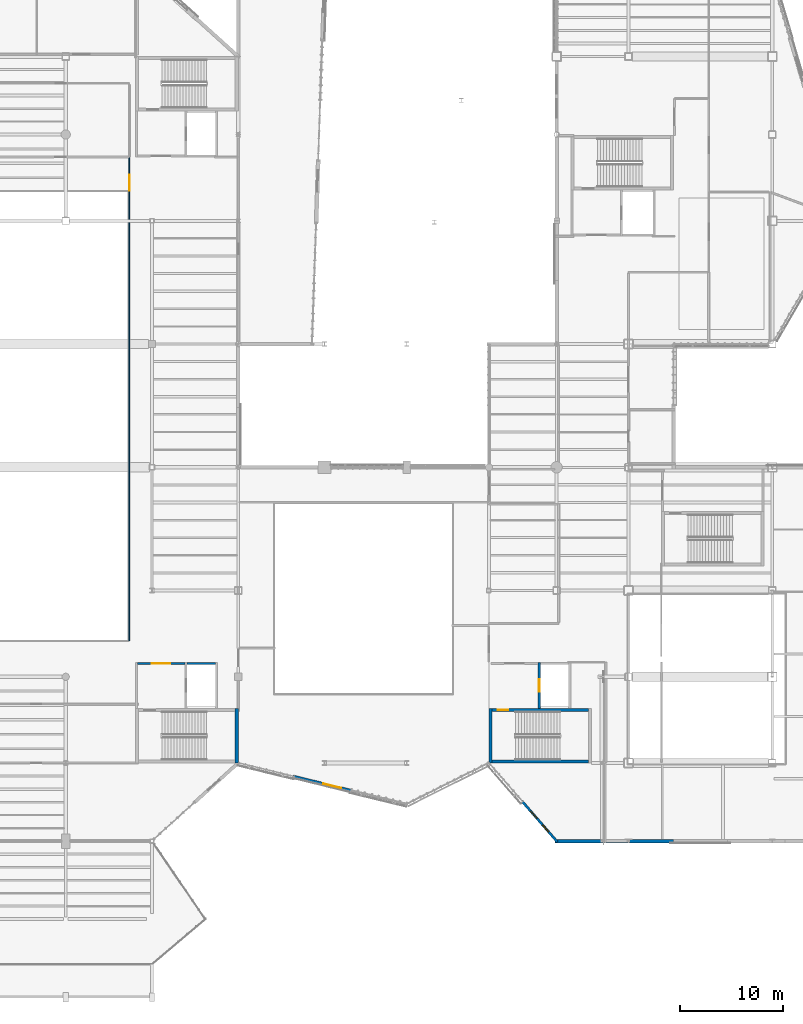
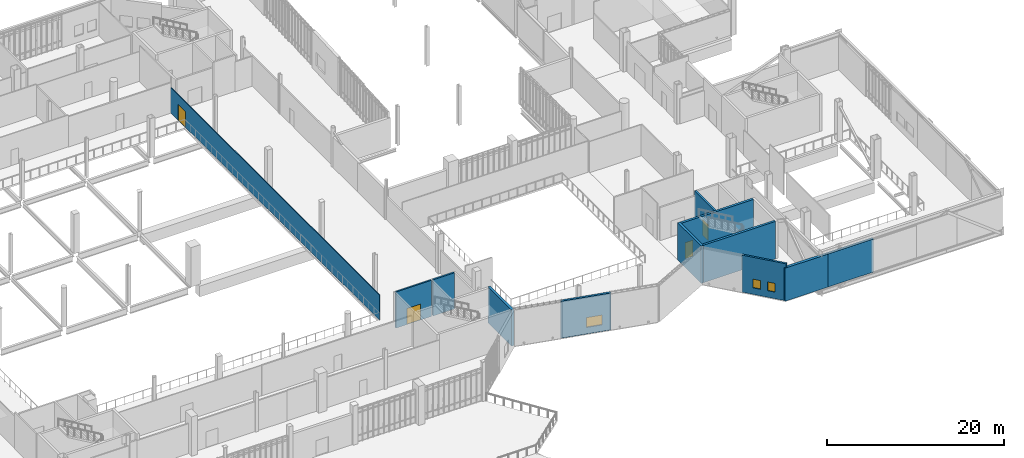
# One storey, part 106 of 127: 12 walls, 4 doors, 3 windows, 7 openings.
"""IFC4 building model written with IfcOpenShell, lengths in metres."""

import ifcopenshell
import ifcopenshell.guid

model = None  # the IFC model being written
_history = None  # IfcOwnerHistory: only IFC2X3 demands one
_inside = {}  # id of a spatial element -> (the spatial element, [elements in it])
_under = {}  # id of a project, library or spatial element -> (it, [spatial elements below it])
_declared = {}  # id of a project -> (the project, [libraries it declares])
_typed = {}  # id of a type object -> (the type object, [elements of that type])
_made_of = {}  # id of a material, layer set ... -> (it, [elements and type objects made of it])


def new_model(schema):
    """Start an empty IFC model of exactly this schema.

    Asked for "IFC4X3", IfcOpenShell would pick the latest addendum, in which some entities
    have other attributes; the version numbers below select the first issue.
    IFC2X3 requires an IfcOwnerHistory on every rooted entity: one is made here for all.
    """
    global model, _history
    if schema == "IFC4X3":
        model = ifcopenshell.file(schema_version=(4, 3, 0, 0))
    else:
        model = ifcopenshell.file(schema=schema)
    _inside.clear()
    _under.clear()
    _declared.clear()
    _typed.clear()
    _made_of.clear()
    _history = None
    if model.schema == "IFC2X3":
        org = make("IfcOrganization", Name="unknown")
        user = make(
            "IfcPersonAndOrganization",
            ThePerson=make("IfcPerson", FamilyName="unknown"),
            TheOrganization=org,
        )
        app = make(
            "IfcApplication",
            ApplicationDeveloper=org,
            Version="unknown",
            ApplicationFullName="unknown",
            ApplicationIdentifier="unknown",
        )
        _history = make(
            "IfcOwnerHistory",
            OwningUser=user,
            OwningApplication=app,
            ChangeAction="ADDED",
            CreationDate=0,
        )
    return model


def make(cls, **values):
    """One entity of the class cls with the attributes given. An attribute that is None is left unset."""
    return model.create_entity(
        cls, **{name: value for name, value in values.items() if value is not None}
    )


def rooted(cls, **values):
    """An entity with a GlobalId (a new one), such as an element, a storey or a relation."""
    return make(cls, GlobalId=ifcopenshell.guid.new(), OwnerHistory=_history, **values)


def si_unit(unit_type, name, prefix=None):
    """IfcSIUnit, for example si_unit("LENGTHUNIT", "METRE", prefix="MILLI")."""
    return make("IfcSIUnit", UnitType=unit_type, Prefix=prefix, Name=name)


def assignment(units):
    """IfcUnitAssignment: the units of a project."""
    return None if units is None else make("IfcUnitAssignment", Units=units)


def point(xyz):
    """IfcCartesianPoint."""
    return None if xyz is None else make("IfcCartesianPoint", Coordinates=xyz)


def direction(xyz):
    """IfcDirection."""
    return None if xyz is None else make("IfcDirection", DirectionRatios=xyz)


def frame(location, z_axis=None, x_axis=None):
    """IfcAxis2Placement3D, a coordinate frame: its origin and axes. An axis left out is left unset."""
    return make(
        "IfcAxis2Placement3D",
        Location=point(location),
        Axis=direction(z_axis),
        RefDirection=direction(x_axis),
    )


def frame_2d(location, x_axis=None):
    """IfcAxis2Placement2D, a coordinate frame in the plane: its origin and x axis."""
    return make(
        "IfcAxis2Placement2D", Location=point(location), RefDirection=direction(x_axis)
    )


def origin():
    """The frame at (0, 0, 0) with its axes left unset."""
    return frame((0.0, 0.0, 0.0))


def place(relative_to, where):
    """IfcLocalPlacement: puts the frame where relative to a parent placement (None: the world)."""
    return make(
        "IfcLocalPlacement", PlacementRelTo=relative_to, RelativePlacement=where
    )


def context(
    kind, dimensions, precision=None, world=None, true_north=None, identifier=None
):
    """IfcGeometricRepresentationContext, for example the 3D "Model" context."""
    return make(
        "IfcGeometricRepresentationContext",
        ContextIdentifier=identifier,
        ContextType=kind,
        CoordinateSpaceDimension=dimensions,
        Precision=precision,
        WorldCoordinateSystem=world,
        TrueNorth=true_north,
    )


def subcontext(parent, identifier, kind, view, scale=None):
    """IfcGeometricRepresentationSubContext, for example "Body" below "Model"."""
    return make(
        "IfcGeometricRepresentationSubContext",
        ContextIdentifier=identifier,
        ContextType=kind,
        ParentContext=parent,
        TargetScale=scale,
        TargetView=view,
    )


def project(units=None, contexts=None):
    """IfcProject with its units and contexts."""
    return rooted(
        "IfcProject",
        Name="project",
        RepresentationContexts=contexts,
        UnitsInContext=assignment(units),
    )


def spatial(cls, under=None, at=None, **own):
    """A site, building, storey or space (cls), placed at a placement, below another one or the project."""
    s = rooted(cls, ObjectPlacement=at, **own)
    if under is not None:
        _under.setdefault(under.id(), (under, []))[1].append(s)
    return s


def profile(cls, at=None, kind="AREA", **sizes):
    """A parametric profile (cls). Its sizes go by their IFC names, for example OverallWidth=200.0."""
    return make(cls, ProfileType=kind, Position=at, **sizes)


def rectangle(**sizes):
    """IfcRectangleProfileDef."""
    return profile("IfcRectangleProfileDef", **sizes)


def extrude(swept, where, along, depth):
    """IfcExtrudedAreaSolid: the profile swept, set in the frame where, extruded along a direction by depth."""
    return make(
        "IfcExtrudedAreaSolid",
        SweptArea=swept,
        Position=where,
        ExtrudedDirection=direction(along),
        Depth=depth,
    )


def shape(context_of_items, identifier, shape_type, items):
    """IfcShapeRepresentation: the items that make up one representation, for example the "Body"."""
    return make(
        "IfcShapeRepresentation",
        ContextOfItems=context_of_items,
        RepresentationIdentifier=identifier,
        RepresentationType=shape_type,
        Items=items,
    )


def material(Name=None, Category=None):
    """IfcMaterial."""
    return make("IfcMaterial", Name=Name, Category=Category)


def layer(
    of_material, thickness, ventilated=None, Name=None, Category=None, Priority=None
):
    """IfcMaterialLayer: one layer of a wall or slab, of a material (None: an air gap)."""
    return make(
        "IfcMaterialLayer",
        Material=of_material,
        LayerThickness=thickness,
        IsVentilated=ventilated,
        Name=Name,
        Category=Category,
        Priority=Priority,
    )


def layer_set(layers, Name=None):
    """IfcMaterialLayerSet."""
    return make("IfcMaterialLayerSet", MaterialLayers=layers, LayerSetName=Name)


def made_of(thing, what):
    """Note that an element or type object is made of a material, layer set ...; save() writes the relation."""
    if what is not None:
        _made_of.setdefault(what.id(), (what, []))[1].append(thing)
    return thing


def type_object(cls, material=None, **own):
    """A type object (cls), such as IfcWallType, which elements share."""
    return made_of(rooted(cls, **own), material)


def element(
    cls,
    number,
    at=None,
    inside=None,
    cuts=None,
    type_object=None,
    material=None,
    context=None,
    identifier="Body",
    shape_type=None,
    held_by="IfcProductDefinitionShape",
    body=None,
    shapes=None,
    **own,
):
    """One element of the class cls, such as IfcWall. Its Tag is "e" and its number.

    at: its placement. inside: the storey or other place that contains it. cuts: it is an
    opening in that element (IfcRelVoidsElement). A single representation is given by context,
    identifier, shape_type and body (its items); several are given by shapes. held_by: the class
    of the entity that holds the representations. save() writes the other relations.
    """
    e = rooted(cls, Tag="e%d" % number, ObjectPlacement=at, **own)
    if body is not None:
        shapes = [shape(context, identifier, shape_type, body)]
    if shapes is not None:
        e.Representation = make(held_by, Representations=shapes)
    if inside is not None:
        _inside.setdefault(inside.id(), (inside, []))[1].append(e)
    if cuts is not None:
        rooted(
            "IfcRelVoidsElement", RelatingBuildingElement=cuts, RelatedOpeningElement=e
        )
    if type_object is not None:
        _typed.setdefault(type_object.id(), (type_object, []))[1].append(e)
    return made_of(e, material)


def fill(opening, filler):
    """IfcRelFillsElement: the door or window that sits in an opening."""
    return rooted(
        "IfcRelFillsElement",
        RelatingOpeningElement=opening,
        RelatedBuildingElement=filler,
    )


def aggregate(whole, parts):
    """IfcRelAggregates: a whole, such as a stair, and the parts it consists of."""
    return rooted("IfcRelAggregates", RelatingObject=whole, RelatedObjects=parts)


def save(model, path):
    """Write the relations noted so far, then the file.

    IfcRelAggregates (storeys below a building ...), IfcRelContainedInSpatialStructure (elements
    in a storey), IfcRelDefinesByType, IfcRelAssociatesMaterial and IfcRelDeclares: one each for
    every whole, place, type object, material and project.
    """
    for whole, parts in _under.values():
        aggregate(whole, parts)
    for where, things in _inside.values():
        rooted(
            "IfcRelContainedInSpatialStructure",
            RelatedElements=things,
            RelatingStructure=where,
        )
    for kind, things in _typed.values():
        rooted("IfcRelDefinesByType", RelatedObjects=things, RelatingType=kind)
    for what, things in _made_of.values():
        rooted("IfcRelAssociatesMaterial", RelatedObjects=things, RelatingMaterial=what)
    for by, libraries in _declared.values():
        rooted("IfcRelDeclares", RelatingContext=by, RelatedDefinitions=libraries)
    model.write(path)


model = new_model("IFC4")

# Units and contexts
model_context = context("Model", 3, precision=1e-05, world=origin(), true_north=direction((0.0, 1.0)))
body_context = subcontext(model_context, "Body", "Model", "MODEL_VIEW")
ifc_project = project(units=[si_unit("LENGTHUNIT", "METRE"), si_unit("AREAUNIT", "SQUARE_METRE"), si_unit("VOLUMEUNIT", "CUBIC_METRE"), si_unit("PLANEANGLEUNIT", "RADIAN"), si_unit("MASSUNIT", "GRAM", prefix="KILO")], contexts=[model_context])

# Site, building, storey
site_placement = place(None, origin())
site = spatial("IfcSite", under=ifc_project, at=site_placement, CompositionType="ELEMENT")
building_placement = place(site_placement, origin())
building = spatial("IfcBuilding", under=site, at=building_placement, Name="Larkvane Passage Sports Hall", CompositionType="ELEMENT")
storey_placement = place(building_placement, frame((0.0, 0.0, 5.39990234375)))
storey = spatial("IfcBuildingStorey", under=building, at=storey_placement, Name="L01", CompositionType="ELEMENT", Elevation=5.39990234375)

# Walls
ifc_material_1 = material(Name="Concrete C50/60", Category="concrete")
ifc_layer_1 = layer(ifc_material_1, 0.300048828125)
ifc_layer_set_1 = layer_set([ifc_layer_1], Name="Concrete C50/60")
wall_type_1 = type_object("IfcWallType", Name="WL-CORE-300", PredefinedType="SHEAR", material=ifc_layer_set_1)
wall_1_placement = place(storey_placement, frame((93.449951171875, 28.10009765625, 0.0), z_axis=(0.0, 0.0, 1.0), x_axis=(0.0, -1.0, 0.0)))
element("IfcWall", 1, at=wall_1_placement, inside=storey, type_object=wall_type_1, Name="Core shear wall WAL-CORE-C4-L01-E", PredefinedType="SHEAR", context=body_context, shape_type="SweptSolid", body=[
    extrude(rectangle(XDim=5.300048828125, YDim=0.300048828125, at=frame_2d((2.64990234375, 0.0))), origin(), (0.0, 0.0, 1.0), 4.97998046875),
])
ifc_layer_2 = layer(ifc_material_1, 0.340087890625)
ifc_layer_set_2 = layer_set([ifc_layer_2], Name="Concrete C50/60")
wall_type_2 = type_object("IfcWallType", Name="WL-CORE-340", PredefinedType="SHEAR", material=ifc_layer_set_2)
wall_2_placement = place(storey_placement, frame((118.14990234375, 22.800048828125, 0.0), z_axis=(0.0, 0.0, 1.0), x_axis=(0.0, 1.0, 0.0)))
element("IfcWall", 2, at=wall_2_placement, inside=storey, type_object=wall_type_2, Name="Core shear wall WAL-CORE-C5-L01-W", PredefinedType="SHEAR", context=body_context, shape_type="SweptSolid", body=[
    extrude(rectangle(XDim=5.300048828125, YDim=0.300048828125, at=frame_2d((2.64990234375, 0.0))), origin(), (0.0, 0.0, 1.0), 5.150146484375),
])

# Wall, opening, door
wall_3_placement = place(storey_placement, frame((118.300048828125, 27.949951171875, 0.0), z_axis=(0.0, 0.0, 1.0), x_axis=(1.0, 0.0, 0.0)))
wall_3 = element("IfcWall", 3, at=wall_3_placement, inside=storey, type_object=wall_type_2, Name="Core shear wall WAL-CORE-C5-L01-N", PredefinedType="SHEAR", context=body_context, shape_type="SweptSolid", body=[
    extrude(rectangle(XDim=9.39990234375, YDim=0.300048828125, at=frame_2d((4.699951171875, 0.0))), origin(), (0.0, 0.0, 1.0), 5.150146484375),
])
opening_1_placement = place(wall_3_placement, frame((0.550048828125, 0.0, 0.0)))
opening_1 = element("IfcOpeningElement", 4, at=opening_1_placement, cuts=wall_3, Name="Opening DF-01", PredefinedType="OPENING", context=body_context, shape_type="SweptSolid", body=[
    extrude(rectangle(XDim=1.050048828125, YDim=2.199951171875, at=frame_2d((0.52490234375, 1.10009765625))), frame((0.0, 0.159912109375, 0.0), z_axis=(0.0, -1.0, 0.0), x_axis=(1.0, 0.0, 0.0)), (0.0, 0.0, 1.0), 0.320068359375),
])
ifc_material_2 = material(Name="Steel S355JR smoke-sealed fire door", Category="steel")
door_type_1 = type_object("IfcDoorType", Name="DR-FIRE-1050", OperationType="NOTDEFINED", PredefinedType="DOOR", material=ifc_material_2)
door_1_placement = place(opening_1_placement, origin())
door_1 = element("IfcDoor", 5, at=door_1_placement, inside=storey, type_object=door_type_1, Name="Stair ST-05 L01 fire door", OperationType="SINGLE_SWING_LEFT", OverallHeight=2.199951171875, OverallWidth=1.050048828125, PredefinedType="DOOR", context=body_context, shape_type="SweptSolid", body=[
    extrude(rectangle(XDim=1.050048828125, YDim=2.199951171875, at=frame_2d((0.52490234375, 1.10009765625))), frame((0.0, 0.02490234375, 0.0), z_axis=(0.0, -1.0, 0.0), x_axis=(1.0, 0.0, 0.0)), (0.0, 0.0, 1.0), 0.050048828125),
])
fill(opening_1, door_1)

# Wall
ifc_layer_3 = layer(ifc_material_1, 0.340087890625)
ifc_layer_set_3 = layer_set([ifc_layer_3], Name="Concrete C50/60")
wall_type_3 = type_object("IfcWallType", Name="WL-CORE-EXT-340", PredefinedType="SHEAR", material=ifc_layer_set_3)
wall_4_placement = place(storey_placement, frame((127.699951171875, 22.949951171875, 0.0), z_axis=(0.0, 0.0, 1.0), x_axis=(-1.0, 0.0, 0.0)))
element("IfcWall", 6, at=wall_4_placement, inside=storey, type_object=wall_type_3, Name="Core shear wall WAL-CORE-C5-L01-S", PredefinedType="SHEAR", context=body_context, shape_type="SweptSolid", body=[
    extrude(rectangle(XDim=9.39990234375, YDim=0.300048828125, at=frame_2d((4.699951171875, 0.0))), origin(), (0.0, 0.0, 1.0), 5.150146484375),
])

# Wall, openings, windows
ifc_material_3 = material(Name="Concrete C40/50", Category="concrete")
ifc_layer_4 = layer(ifc_material_3, 0.239990234375)
ifc_layer_set_4 = layer_set([ifc_layer_4], Name="Concrete C40/50")
wall_type_4 = type_object("IfcWallType", Name="WL-EXT-240", PredefinedType="SOLIDWALL", material=ifc_layer_set_4)
wall_5_placement = place(storey_placement, frame((124.675537109375, 15.113037109375, 0.0), z_axis=(0.0, 0.0, 1.0), x_axis=(-0.655679000565, 0.755039765985, 0.0)))
wall_5 = element("IfcWall", 7, at=wall_5_placement, inside=storey, type_object=wall_type_4, Name="Exterior wall WAL-EXT-L01-107", PredefinedType="SOLIDWALL", context=body_context, shape_type="SweptSolid", body=[
    extrude(rectangle(XDim=5.26318359375, YDim=0.239990234375, at=frame_2d((2.631591796875, 0.0))), origin(), (0.0, 0.0, 1.0), 5.10009765625),
])
opening_2_placement = place(wall_5_placement, frame((1.303955078125, 0.0, 0.89990234375)))
opening_2 = element("IfcOpeningElement", 8, at=opening_2_placement, cuts=wall_5, Name="Opening W-09", PredefinedType="OPENING", context=body_context, shape_type="SweptSolid", body=[
    extrude(rectangle(XDim=0.89990234375, YDim=1.199951171875, at=frame_2d((0.449951171875, 0.60009765625))), frame((0.0, 0.1298828125, 0.0), z_axis=(0.0, -1.0, 0.0), x_axis=(1.0, 0.0, 0.0)), (0.0, 0.0, 1.0), 0.260009765625),
])
opening_3_placement = place(wall_5_placement, frame((3.05908203125, 0.0, 0.89990234375)))
opening_3 = element("IfcOpeningElement", 9, at=opening_3_placement, cuts=wall_5, Name="Opening W-09", PredefinedType="OPENING", context=body_context, shape_type="SweptSolid", body=[
    extrude(rectangle(XDim=0.89990234375, YDim=1.199951171875, at=frame_2d((0.449951171875, 0.60009765625))), frame((0.0, 0.1298828125, 0.0), z_axis=(0.0, -1.0, 0.0), x_axis=(1.0, 0.0, 0.0)), (0.0, 0.0, 1.0), 0.260009765625),
])
ifc_material_4 = material(Name="Thermally broken aluminium and laminated low-E glass", Category="aluminium")
window_type_1 = type_object("IfcWindowType", Name="WN-CAS-900x1200", PartitioningType="SINGLE_PANEL", PredefinedType="WINDOW", material=ifc_material_4)
window_1_placement = place(opening_2_placement, origin())
window_1 = element("IfcWindow", 10, at=window_1_placement, inside=storey, type_object=window_type_1, Name="Window L01-034", OverallHeight=1.199951171875, OverallWidth=0.89990234375, PartitioningType="SINGLE_PANEL", PredefinedType="WINDOW", context=body_context, shape_type="SweptSolid", body=[
    extrude(rectangle(XDim=0.89990234375, YDim=1.199951171875, at=frame_2d((0.449951171875, 0.60009765625))), frame((0.0, 0.030029296875, 0.0), z_axis=(0.0, -1.0, 0.0), x_axis=(1.0, 0.0, 0.0)), (0.0, 0.0, 1.0), 0.06005859375),
])
fill(opening_2, window_1)
window_2_placement = place(opening_3_placement, origin())
window_2 = element("IfcWindow", 11, at=window_2_placement, inside=storey, type_object=window_type_1, Name="Window L01-035", OverallHeight=1.199951171875, OverallWidth=0.89990234375, PartitioningType="SINGLE_PANEL", PredefinedType="WINDOW", context=body_context, shape_type="SweptSolid", body=[
    extrude(rectangle(XDim=0.89990234375, YDim=1.199951171875, at=frame_2d((0.449951171875, 0.60009765625))), frame((0.0, 0.030029296875, 0.0), z_axis=(0.0, -1.0, 0.0), x_axis=(1.0, 0.0, 0.0)), (0.0, 0.0, 1.0), 0.06005859375),
])
fill(opening_3, window_2)

# Wall, opening, window
ifc_layer_5 = layer(ifc_material_3, 0.27490234375)
ifc_layer_set_5 = layer_set([ifc_layer_5], Name="Concrete C40/50")
wall_type_5 = type_object("IfcWallType", Name="WL-EXT-275", PredefinedType="SOLIDWALL", material=ifc_layer_set_5)
wall_6_placement = place(storey_placement, frame((104.66162109375, 20.10205078125, 0.0), z_axis=(0.0, 0.0, 1.0), x_axis=(-0.971525690627, 0.236934236555, 0.0)))
wall_6 = element("IfcWall", 12, at=wall_6_placement, inside=storey, type_object=wall_type_5, Name="Exterior wall WAL-EXT-L01-108", PredefinedType="SOLIDWALL", context=body_context, shape_type="SweptSolid", body=[
    extrude(rectangle(XDim=5.890869140625, YDim=0.27490234375, at=frame_2d((2.9453125, 0.0))), origin(), (0.0, 0.0, 1.0), 5.10009765625),
])
opening_4_placement = place(wall_6_placement, frame((1.06396484375, 0.0, 0.89990234375)))
opening_4 = element("IfcOpeningElement", 13, at=opening_4_placement, cuts=wall_6, Name="Opening W-10", PredefinedType="OPENING", context=body_context, shape_type="SweptSolid", body=[
    extrude(rectangle(XDim=1.800048828125, YDim=1.35009765625, at=frame_2d((0.89990234375, 0.675048828125))), frame((0.0, 0.1474609375, 0.0), z_axis=(0.0, -1.0, 0.0), x_axis=(1.0, 0.0, 0.0)), (0.0, 0.0, 1.0), 0.294921875),
])
window_type_2 = type_object("IfcWindowType", Name="WN-CAS-1800x1350", PartitioningType="DOUBLE_PANEL_VERTICAL", PredefinedType="WINDOW", material=ifc_material_4)
window_3_placement = place(opening_4_placement, origin())
window_3 = element("IfcWindow", 14, at=window_3_placement, inside=storey, type_object=window_type_2, Name="Window L01-036", OverallHeight=1.35009765625, OverallWidth=1.800048828125, PartitioningType="DOUBLE_PANEL_VERTICAL", PredefinedType="WINDOW", context=body_context, shape_type="SweptSolid", body=[
    extrude(rectangle(XDim=1.800048828125, YDim=1.35009765625, at=frame_2d((0.89990234375, 0.675048828125))), frame((0.0, 0.030029296875, 0.0), z_axis=(0.0, -1.0, 0.0), x_axis=(1.0, 0.0, 0.0)), (0.0, 0.0, 1.0), 0.06005859375),
])
fill(opening_4, window_3)

# Walls
ifc_material_5 = material(Name="Precast concrete C45/55", Category="concrete")
ifc_layer_6 = layer(ifc_material_5, 0.344970703125)
ifc_layer_set_6 = layer_set([ifc_layer_6], Name="Precast concrete C45/55")
wall_type_6 = type_object("IfcWallType", Name="WL-EXT-345", PredefinedType="SOLIDWALL", material=ifc_layer_set_6)
for number, where, z_axis, x_axis, name in (
    (15, (135.965576171875, 15.199951171875, 0.0), (0.0, 0.0, 1.0), (-1.0, 0.0, 0.0), "Exterior wall WAL-EXT-L01-105"),
    (16, (130.365478515625, 15.199951171875, 0.0), (0.0, 0.0, 1.0), (-1.0, 0.0, 0.0), "Exterior wall WAL-EXT-L01-106"),
):
    element("IfcWall", number, at=place(storey_placement, frame(where, z_axis=z_axis, x_axis=x_axis)), inside=storey, type_object=wall_type_6, Name=name, PredefinedType="SOLIDWALL", context=body_context, shape_type="SweptSolid", body=[
        extrude(rectangle(XDim=5.93115234375, YDim=0.344970703125, at=frame_2d((2.965576171875, 0.0))), origin(), (0.0, 0.0, 1.0), 4.550048828125),
    ])

# Wall, opening, door
ifc_layer_7 = layer(ifc_material_3, 0.199951171875)
ifc_layer_set_7 = layer_set([ifc_layer_7], Name="Concrete C40/50")
wall_type_7 = type_object("IfcWallType", Name="WL-LOBBY-200", PredefinedType="SOLIDWALL", material=ifc_layer_set_7)
wall_7_placement = place(storey_placement, frame((83.800048828125, 32.5, 0.0), z_axis=(0.0, 0.0, 1.0), x_axis=(1.0, 0.0, 0.0)))
wall_7 = element("IfcWall", 17, at=wall_7_placement, inside=storey, type_object=wall_type_7, Name="Protected stair lobby wall C4 L01", PredefinedType="SOLIDWALL", context=body_context, shape_type="SweptSolid", body=[
    extrude(rectangle(XDim=4.599853515625, YDim=0.199951171875, at=frame_2d((2.2998046875, 0.0))), origin(), (0.0, 0.0, 1.0), 4.97998046875),
])
opening_5_placement = place(wall_7_placement, frame((1.39990234375, 0.0, 0.0)))
opening_5 = element("IfcOpeningElement", 18, at=opening_5_placement, cuts=wall_7, Name="Opening DF-02", PredefinedType="OPENING", context=body_context, shape_type="SweptSolid", body=[
    extrude(rectangle(XDim=1.800048828125, YDim=2.199951171875, at=frame_2d((0.89990234375, 1.10009765625))), frame((0.0, 0.10986328125, 0.0), z_axis=(0.0, -1.0, 0.0), x_axis=(1.0, 0.0, 0.0)), (0.0, 0.0, 1.0), 0.219970703125),
])
ifc_material_6 = material(Name="Steel S355JR double smoke-sealed fire door", Category="steel")
door_type_2 = type_object("IfcDoorType", Name="DR-FIRE-1800", OperationType="DOUBLE_DOOR_SINGLE_SWING", PredefinedType="DOOR", material=ifc_material_6)
door_2_placement = place(opening_5_placement, origin())
door_2 = element("IfcDoor", 19, at=door_2_placement, inside=storey, type_object=door_type_2, Name="Lobby smoke door C4 L01", OperationType="DOUBLE_DOOR_SINGLE_SWING", OverallHeight=2.199951171875, OverallWidth=1.800048828125, PredefinedType="DOOR", context=body_context, shape_type="SweptSolid", body=[
    extrude(rectangle(XDim=1.800048828125, YDim=2.199951171875, at=frame_2d((0.89990234375, 1.10009765625))), frame((0.0, 0.02490234375, 0.0), z_axis=(0.0, -1.0, 0.0), x_axis=(1.0, 0.0, 0.0)), (0.0, 0.0, 1.0), 0.050048828125),
])
fill(opening_5, door_2)

ifc_material_7 = material(Name="Gypsum twin-stud acoustic partition")
ifc_layer_8 = layer(ifc_material_7, 0.10009765625)
ifc_layer_set_8 = layer_set([ifc_layer_8], Name="Gypsum twin-stud acoustic partition")
wall_type_8 = type_object("IfcWallType", Name="WL-PART-100", PredefinedType="PARTITIONING", material=ifc_layer_set_8)
wall_8_placement = place(storey_placement, frame((83.0, 34.719970703125, 0.0), z_axis=(0.0, 0.0, 1.0), x_axis=(0.0, 1.0, 0.0)))
wall_8 = element("IfcWall", 20, at=wall_8_placement, inside=storey, type_object=wall_type_8, Name="Interior partition WAL-PART-L01-0167", PredefinedType="PARTITIONING", context=body_context, shape_type="SweptSolid", body=[
    extrude(rectangle(XDim=47.080078125, YDim=0.10009765625, at=frame_2d((23.5400390625, 0.0))), origin(), (0.0, 0.0, 1.0), 3.47021484375),
])
opening_6_placement = place(wall_8_placement, frame((43.787109375, 0.0, 0.0)))
opening_6 = element("IfcOpeningElement", 21, at=opening_6_placement, cuts=wall_8, Name="Opening DI-03", PredefinedType="OPENING", context=body_context, shape_type="SweptSolid", body=[
    extrude(rectangle(XDim=1.60009765625, YDim=2.199951171875, at=frame_2d((0.800048828125, 1.10009765625))), frame((0.0, 0.06005859375, 0.0), z_axis=(0.0, -1.0, 0.0), x_axis=(1.0, 0.0, 0.0)), (0.0, 0.0, 1.0), 0.1201171875),
])
ifc_material_8 = material(Name="Glazed aluminium studio double door", Category="aluminium")
door_type_3 = type_object("IfcDoorType", Name="DR-INT-1600", OperationType="DOUBLE_DOOR_SINGLE_SWING", PredefinedType="DOOR", material=ifc_material_8)
door_3_placement = place(opening_6_placement, origin())
door_3 = element("IfcDoor", 22, at=door_3_placement, inside=storey, type_object=door_type_3, Name="Interior door L01-0062", OperationType="DOUBLE_DOOR_SINGLE_SWING", OverallHeight=2.199951171875, OverallWidth=1.60009765625, PredefinedType="DOOR", context=body_context, shape_type="SweptSolid", body=[
    extrude(rectangle(XDim=1.60009765625, YDim=2.199951171875, at=frame_2d((0.800048828125, 1.10009765625))), frame((0.0, 0.02490234375, 0.0), z_axis=(0.0, -1.0, 0.0), x_axis=(1.0, 0.0, 0.0)), (0.0, 0.0, 1.0), 0.050048828125),
])
fill(opening_6, door_3)

# Wall
ifc_layer_9 = layer(ifc_material_3, 0.219970703125)
ifc_layer_set_9 = layer_set([ifc_layer_9], Name="Concrete C40/50")
wall_type_9 = type_object("IfcWallType", Name="WL-SHAFT-220", PredefinedType="SOLIDWALL", material=ifc_layer_set_9)
wall_9_placement = place(storey_placement, frame((88.6201171875, 32.489990234375, 0.0), z_axis=(0.0, 0.0, 1.0), x_axis=(1.0, 0.0, 0.0)))
element("IfcWall", 23, at=wall_9_placement, inside=storey, type_object=wall_type_9, Name="Lift shaft end wall L-05 L01", PredefinedType="SOLIDWALL", context=body_context, shape_type="SweptSolid", body=[
    extrude(rectangle(XDim=2.759765625, YDim=0.219970703125, at=frame_2d((1.3798828125, 0.0))), origin(), (0.0, 0.0, 1.0), 4.97998046875),
])

# Wall, opening, door
wall_10_placement = place(storey_placement, frame((122.909912109375, 28.10009765625, 0.0), z_axis=(0.0, 0.0, 1.0), x_axis=(0.0, 1.0, 0.0)))
wall_10 = element("IfcWall", 24, at=wall_10_placement, inside=storey, type_object=wall_type_9, Name="Lift shaft front wall FL-02 L01", PredefinedType="SOLIDWALL", context=body_context, shape_type="SweptSolid", body=[
    extrude(rectangle(XDim=4.5, YDim=0.219970703125, at=frame_2d((2.25, 0.0))), origin(), (0.0, 0.0, 1.0), 5.150146484375),
])
opening_7_placement = place(wall_10_placement, frame((1.64990234375, 0.0, 0.0)))
opening_7 = element("IfcOpeningElement", 25, at=opening_7_placement, cuts=wall_10, Name="Opening LD-01", PredefinedType="OPENING", context=body_context, shape_type="SweptSolid", body=[
    extrude(rectangle(XDim=1.199951171875, YDim=2.199951171875, at=frame_2d((0.60009765625, 1.10009765625))), frame((0.0, 0.119873046875, 0.0), z_axis=(0.0, -1.0, 0.0), x_axis=(1.0, 0.0, 0.0)), (0.0, 0.0, 1.0), 0.239990234375),
])
ifc_material_9 = material(Name="Stainless steel S355JR lift landing door", Category="steel")
door_type_4 = type_object("IfcDoorType", Name="DR-LIFT-1200", OperationType="SLIDING_TO_LEFT", PredefinedType="DOOR", material=ifc_material_9)
door_4_placement = place(opening_7_placement, origin())
door_4 = element("IfcDoor", 26, at=door_4_placement, inside=storey, type_object=door_type_4, Name="Lift landing door FL-02 L01", OperationType="SLIDING_TO_LEFT", OverallHeight=2.199951171875, OverallWidth=1.199951171875, PredefinedType="DOOR", context=body_context, shape_type="SweptSolid", body=[
    extrude(rectangle(XDim=1.199951171875, YDim=2.199951171875, at=frame_2d((0.60009765625, 1.10009765625))), frame((0.0, 0.02490234375, 0.0), z_axis=(0.0, -1.0, 0.0), x_axis=(1.0, 0.0, 0.0)), (0.0, 0.0, 1.0), 0.050048828125),
])
fill(opening_7, door_4)

save(model, "model.ifc")
